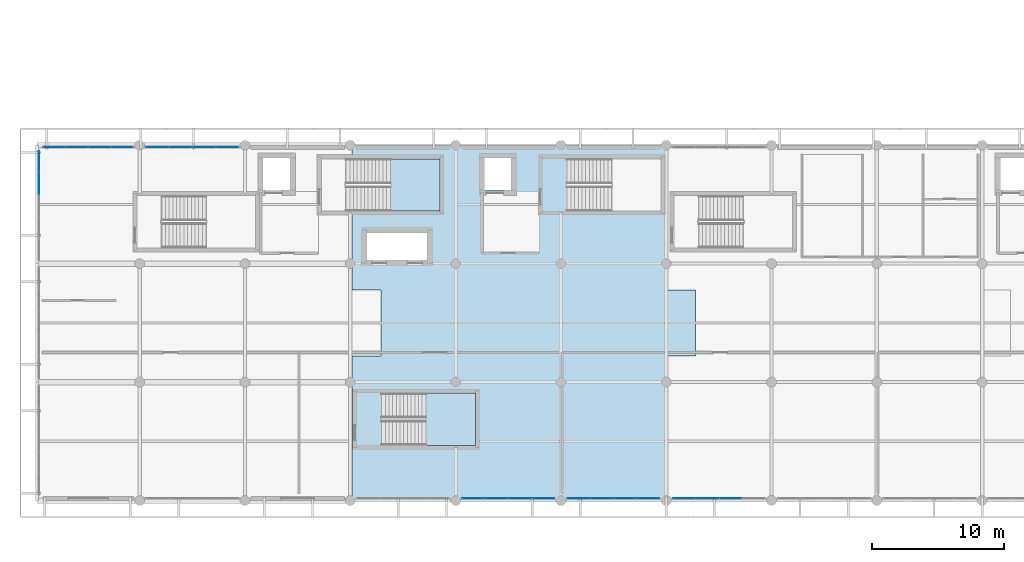
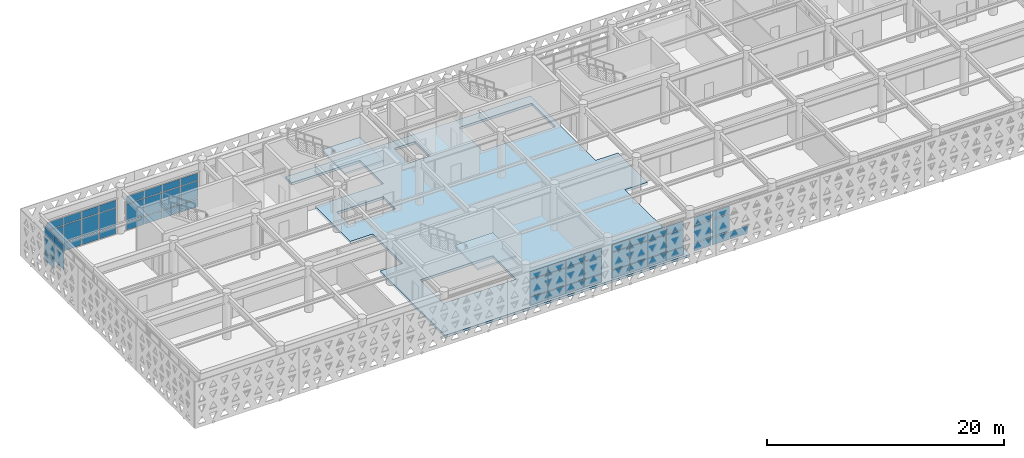
# One storey, part 17 of 33: 60 plates, 3 slabs, 8 elements without a shape of their own.
"""IFC4 building model written with IfcOpenShell, lengths in metres."""

from ifc_helpers import new_model, si_unit, direction, frame, origin, origin_2d, place, context, subcontext, project, spatial, polyline, rectangle, outline, extrude, material, layer, layer_set, type_object, element, aggregate, save


model = new_model("IFC4")

# Units and contexts
model_context = context("Model", 3, precision=1e-05, world=origin(), true_north=direction((0.0, 1.0)))
body_context = subcontext(model_context, "Body", "Model", "MODEL_VIEW")
ifc_project = project(units=[si_unit("LENGTHUNIT", "METRE"), si_unit("AREAUNIT", "SQUARE_METRE"), si_unit("VOLUMEUNIT", "CUBIC_METRE"), si_unit("PLANEANGLEUNIT", "RADIAN"), si_unit("MASSUNIT", "GRAM", prefix="KILO")], contexts=[model_context])

# Site, building, storey
site_placement = place(None, origin())
site = spatial("IfcSite", under=ifc_project, at=site_placement, CompositionType="ELEMENT")
building_placement = place(site_placement, origin())
building = spatial("IfcBuilding", under=site, at=building_placement, Name="Tlacozan Convention Centre", CompositionType="ELEMENT")
storey_placement = place(building_placement, frame((0.0, 0.0, 16.199951171875)))
storey = spatial("IfcBuildingStorey", under=building, at=storey_placement, Name="L03", CompositionType="ELEMENT", Elevation=16.199951171875)

# Curtain wall, plates
ifc_material_1 = material(Name="Dark Bronze Anodised Aluminium", Category="aluminium")
ifc_layer_1 = layer(ifc_material_1, 0.159912109375)
ifc_layer_set_1 = layer_set([ifc_layer_1], Name="Dark Bronze Anodised Aluminium")
curtain_wall_type_1 = type_object("IfcCurtainWallType", Name="Unitised Congress L03 South CW04", PredefinedType="NOTDEFINED", material=ifc_layer_set_1)
curtain_wall_1_placement = place(storey_placement, origin())
curtain_wall_1 = element("IfcCurtainWall", 1, at=curtain_wall_1_placement, inside=storey, type_object=curtain_wall_type_1, Name="L03 CW-04 Run 115", PredefinedType="NOTDEFINED")
ifc_material_2 = material(Name="Solar Control Double Low-E Argon Glazing", Category="glass")
ifc_layer_2 = layer(ifc_material_2, 0.030029296875)
ifc_layer_set_2 = layer_set([ifc_layer_2], Name="Solar Control Double Low-E Argon Glazing")
plate_type_1 = type_object("IfcPlateType", Name="Double Low-E Acoustic CW Panel 30", PredefinedType="CURTAIN_PANEL", material=ifc_layer_set_2)
plate_1_placement = place(storey_placement, frame((1.52880859375, 26.840087890625, 0.06494140625), z_axis=(0.0, 0.0, 1.0), x_axis=(1.0, 0.0, 0.0)))
plate_1 = element("IfcPlate", 2, at=plate_1_placement, type_object=plate_type_1, Name="CW-04 panel 1.1", PredefinedType="CURTAIN_PANEL", context=body_context, shape_type="SweptSolid", body=[
    extrude(rectangle(XDim=1.62744140625, YDim=0.030029296875, at=origin_2d()), origin(), (0.0, 0.0, 1.0), 0.802490234375),
])
plate_2_placement = place(storey_placement, frame((1.52880859375, 26.840087890625, 0.9326171875), z_axis=(0.0, 0.0, 1.0), x_axis=(1.0, 0.0, 0.0)))
plate_2 = element("IfcPlate", 3, at=plate_2_placement, type_object=plate_type_1, Name="CW-04 panel 1.2", PredefinedType="CURTAIN_PANEL", context=body_context, shape_type="SweptSolid", body=[
    extrude(rectangle(XDim=1.62744140625, YDim=0.030029296875, at=origin_2d()), origin(), (0.0, 0.0, 1.0), 1.784912109375),
])
plate_3_placement = place(storey_placement, frame((1.52880859375, 26.840087890625, 2.782470703125), z_axis=(0.0, 0.0, 1.0), x_axis=(1.0, 0.0, 0.0)))
plate_3 = element("IfcPlate", 4, at=plate_3_placement, type_object=plate_type_1, Name="CW-04 panel 1.3", PredefinedType="CURTAIN_PANEL", context=body_context, shape_type="SweptSolid", body=[
    extrude(rectangle(XDim=1.62744140625, YDim=0.030029296875, at=origin_2d()), origin(), (0.0, 0.0, 1.0), 0.75244140625),
])
plate_4_placement = place(storey_placement, frame((3.237548828125, 26.840087890625, 0.06494140625), z_axis=(0.0, 0.0, 1.0), x_axis=(1.0, 0.0, 0.0)))
plate_4 = element("IfcPlate", 5, at=plate_4_placement, type_object=plate_type_1, Name="CW-04 panel 2.1", PredefinedType="CURTAIN_PANEL", context=body_context, shape_type="SweptSolid", body=[
    extrude(rectangle(XDim=1.659912109375, YDim=0.030029296875, at=origin_2d()), origin(), (0.0, 0.0, 1.0), 0.802490234375),
])
plate_5_placement = place(storey_placement, frame((3.237548828125, 26.840087890625, 0.9326171875), z_axis=(0.0, 0.0, 1.0), x_axis=(1.0, 0.0, 0.0)))
plate_5 = element("IfcPlate", 6, at=plate_5_placement, type_object=plate_type_1, Name="CW-04 panel 2.2", PredefinedType="CURTAIN_PANEL", context=body_context, shape_type="SweptSolid", body=[
    extrude(rectangle(XDim=1.659912109375, YDim=0.030029296875, at=origin_2d()), origin(), (0.0, 0.0, 1.0), 1.784912109375),
])
plate_6_placement = place(storey_placement, frame((3.237548828125, 26.840087890625, 2.782470703125), z_axis=(0.0, 0.0, 1.0), x_axis=(1.0, 0.0, 0.0)))
plate_6 = element("IfcPlate", 7, at=plate_6_placement, type_object=plate_type_1, Name="CW-04 panel 2.3", PredefinedType="CURTAIN_PANEL", context=body_context, shape_type="SweptSolid", body=[
    extrude(rectangle(XDim=1.659912109375, YDim=0.030029296875, at=origin_2d()), origin(), (0.0, 0.0, 1.0), 0.75244140625),
])
plate_7_placement = place(storey_placement, frame((4.96240234375, 26.840087890625, 0.06494140625), z_axis=(0.0, 0.0, 1.0), x_axis=(1.0, 0.0, 0.0)))
plate_7 = element("IfcPlate", 8, at=plate_7_placement, type_object=plate_type_1, Name="CW-04 panel 3.1", PredefinedType="CURTAIN_PANEL", context=body_context, shape_type="SweptSolid", body=[
    extrude(rectangle(XDim=1.659912109375, YDim=0.030029296875, at=origin_2d()), origin(), (0.0, 0.0, 1.0), 0.802490234375),
])
plate_8_placement = place(storey_placement, frame((4.96240234375, 26.840087890625, 0.9326171875), z_axis=(0.0, 0.0, 1.0), x_axis=(1.0, 0.0, 0.0)))
plate_8 = element("IfcPlate", 9, at=plate_8_placement, type_object=plate_type_1, Name="CW-04 panel 3.2", PredefinedType="CURTAIN_PANEL", context=body_context, shape_type="SweptSolid", body=[
    extrude(rectangle(XDim=1.659912109375, YDim=0.030029296875, at=origin_2d()), origin(), (0.0, 0.0, 1.0), 1.784912109375),
])
plate_9_placement = place(storey_placement, frame((4.96240234375, 26.840087890625, 2.782470703125), z_axis=(0.0, 0.0, 1.0), x_axis=(1.0, 0.0, 0.0)))
plate_9 = element("IfcPlate", 10, at=plate_9_placement, type_object=plate_type_1, Name="CW-04 panel 3.3", PredefinedType="CURTAIN_PANEL", context=body_context, shape_type="SweptSolid", body=[
    extrude(rectangle(XDim=1.659912109375, YDim=0.030029296875, at=origin_2d()), origin(), (0.0, 0.0, 1.0), 0.75244140625),
])
plate_10_placement = place(storey_placement, frame((6.671142578125, 26.840087890625, 0.06494140625), z_axis=(0.0, 0.0, 1.0), x_axis=(1.0, 0.0, 0.0)))
plate_10 = element("IfcPlate", 11, at=plate_10_placement, type_object=plate_type_1, Name="CW-04 panel 4.1", PredefinedType="CURTAIN_PANEL", context=body_context, shape_type="SweptSolid", body=[
    extrude(rectangle(XDim=1.62744140625, YDim=0.030029296875, at=origin_2d()), origin(), (0.0, 0.0, 1.0), 0.802490234375),
])
plate_11_placement = place(storey_placement, frame((6.671142578125, 26.840087890625, 0.9326171875), z_axis=(0.0, 0.0, 1.0), x_axis=(1.0, 0.0, 0.0)))
plate_11 = element("IfcPlate", 12, at=plate_11_placement, type_object=plate_type_1, Name="CW-04 panel 4.2", PredefinedType="CURTAIN_PANEL", context=body_context, shape_type="SweptSolid", body=[
    extrude(rectangle(XDim=1.62744140625, YDim=0.030029296875, at=origin_2d()), origin(), (0.0, 0.0, 1.0), 1.784912109375),
])
plate_12_placement = place(storey_placement, frame((6.671142578125, 26.840087890625, 2.782470703125), z_axis=(0.0, 0.0, 1.0), x_axis=(1.0, 0.0, 0.0)))
plate_12 = element("IfcPlate", 13, at=plate_12_placement, type_object=plate_type_1, Name="CW-04 panel 4.3", PredefinedType="CURTAIN_PANEL", context=body_context, shape_type="SweptSolid", body=[
    extrude(rectangle(XDim=1.62744140625, YDim=0.030029296875, at=origin_2d()), origin(), (0.0, 0.0, 1.0), 0.75244140625),
])
aggregate(curtain_wall_1, [plate_1, plate_2, plate_3, plate_4, plate_5, plate_6, plate_7, plate_8, plate_9, plate_10, plate_11, plate_12])

curtain_wall_2_placement = place(storey_placement, origin())
curtain_wall_2 = element("IfcCurtainWall", 14, at=curtain_wall_2_placement, inside=storey, type_object=curtain_wall_type_1, Name="L03 CW-04 Run 116", PredefinedType="NOTDEFINED")
plate_13_placement = place(storey_placement, frame((9.353759765625, 26.840087890625, 0.06494140625), z_axis=(0.0, 0.0, 1.0), x_axis=(1.0, 0.0, 0.0)))
plate_13 = element("IfcPlate", 15, at=plate_13_placement, type_object=plate_type_1, Name="CW-04 panel 1.1", PredefinedType="CURTAIN_PANEL", context=body_context, shape_type="SweptSolid", body=[
    extrude(rectangle(XDim=1.677490234375, YDim=0.030029296875, at=origin_2d()), origin(), (0.0, 0.0, 1.0), 0.802490234375),
])
plate_14_placement = place(storey_placement, frame((9.353759765625, 26.840087890625, 0.9326171875), z_axis=(0.0, 0.0, 1.0), x_axis=(1.0, 0.0, 0.0)))
plate_14 = element("IfcPlate", 16, at=plate_14_placement, type_object=plate_type_1, Name="CW-04 panel 1.2", PredefinedType="CURTAIN_PANEL", context=body_context, shape_type="SweptSolid", body=[
    extrude(rectangle(XDim=1.677490234375, YDim=0.030029296875, at=origin_2d()), origin(), (0.0, 0.0, 1.0), 1.784912109375),
])
plate_15_placement = place(storey_placement, frame((9.353759765625, 26.840087890625, 2.782470703125), z_axis=(0.0, 0.0, 1.0), x_axis=(1.0, 0.0, 0.0)))
plate_15 = element("IfcPlate", 17, at=plate_15_placement, type_object=plate_type_1, Name="CW-04 panel 1.3", PredefinedType="CURTAIN_PANEL", context=body_context, shape_type="SweptSolid", body=[
    extrude(rectangle(XDim=1.677490234375, YDim=0.030029296875, at=origin_2d()), origin(), (0.0, 0.0, 1.0), 0.75244140625),
])
plate_16_placement = place(storey_placement, frame((11.112548828125, 26.840087890625, 0.06494140625), z_axis=(0.0, 0.0, 1.0), x_axis=(1.0, 0.0, 0.0)))
plate_16 = element("IfcPlate", 18, at=plate_16_placement, type_object=plate_type_1, Name="CW-04 panel 2.1", PredefinedType="CURTAIN_PANEL", context=body_context, shape_type="SweptSolid", body=[
    extrude(rectangle(XDim=1.7099609375, YDim=0.030029296875, at=origin_2d()), origin(), (0.0, 0.0, 1.0), 0.802490234375),
])
plate_17_placement = place(storey_placement, frame((11.112548828125, 26.840087890625, 0.9326171875), z_axis=(0.0, 0.0, 1.0), x_axis=(1.0, 0.0, 0.0)))
plate_17 = element("IfcPlate", 19, at=plate_17_placement, type_object=plate_type_1, Name="CW-04 panel 2.2", PredefinedType="CURTAIN_PANEL", context=body_context, shape_type="SweptSolid", body=[
    extrude(rectangle(XDim=1.7099609375, YDim=0.030029296875, at=origin_2d()), origin(), (0.0, 0.0, 1.0), 1.784912109375),
])
plate_18_placement = place(storey_placement, frame((11.112548828125, 26.840087890625, 2.782470703125), z_axis=(0.0, 0.0, 1.0), x_axis=(1.0, 0.0, 0.0)))
plate_18 = element("IfcPlate", 20, at=plate_18_placement, type_object=plate_type_1, Name="CW-04 panel 2.3", PredefinedType="CURTAIN_PANEL", context=body_context, shape_type="SweptSolid", body=[
    extrude(rectangle(XDim=1.7099609375, YDim=0.030029296875, at=origin_2d()), origin(), (0.0, 0.0, 1.0), 0.75244140625),
])
plate_19_placement = place(storey_placement, frame((12.887451171875, 26.840087890625, 0.06494140625), z_axis=(0.0, 0.0, 1.0), x_axis=(1.0, 0.0, 0.0)))
plate_19 = element("IfcPlate", 21, at=plate_19_placement, type_object=plate_type_1, Name="CW-04 panel 3.1", PredefinedType="CURTAIN_PANEL", context=body_context, shape_type="SweptSolid", body=[
    extrude(rectangle(XDim=1.7099609375, YDim=0.030029296875, at=origin_2d()), origin(), (0.0, 0.0, 1.0), 0.802490234375),
])
plate_20_placement = place(storey_placement, frame((12.887451171875, 26.840087890625, 0.9326171875), z_axis=(0.0, 0.0, 1.0), x_axis=(1.0, 0.0, 0.0)))
plate_20 = element("IfcPlate", 22, at=plate_20_placement, type_object=plate_type_1, Name="CW-04 panel 3.2", PredefinedType="CURTAIN_PANEL", context=body_context, shape_type="SweptSolid", body=[
    extrude(rectangle(XDim=1.7099609375, YDim=0.030029296875, at=origin_2d()), origin(), (0.0, 0.0, 1.0), 1.784912109375),
])
plate_21_placement = place(storey_placement, frame((12.887451171875, 26.840087890625, 2.782470703125), z_axis=(0.0, 0.0, 1.0), x_axis=(1.0, 0.0, 0.0)))
plate_21 = element("IfcPlate", 23, at=plate_21_placement, type_object=plate_type_1, Name="CW-04 panel 3.3", PredefinedType="CURTAIN_PANEL", context=body_context, shape_type="SweptSolid", body=[
    extrude(rectangle(XDim=1.7099609375, YDim=0.030029296875, at=origin_2d()), origin(), (0.0, 0.0, 1.0), 0.75244140625),
])
plate_22_placement = place(storey_placement, frame((14.646240234375, 26.840087890625, 0.06494140625), z_axis=(0.0, 0.0, 1.0), x_axis=(1.0, 0.0, 0.0)))
plate_22 = element("IfcPlate", 24, at=plate_22_placement, type_object=plate_type_1, Name="CW-04 panel 4.1", PredefinedType="CURTAIN_PANEL", context=body_context, shape_type="SweptSolid", body=[
    extrude(rectangle(XDim=1.677490234375, YDim=0.030029296875, at=origin_2d()), origin(), (0.0, 0.0, 1.0), 0.802490234375),
])
plate_23_placement = place(storey_placement, frame((14.646240234375, 26.840087890625, 0.9326171875), z_axis=(0.0, 0.0, 1.0), x_axis=(1.0, 0.0, 0.0)))
plate_23 = element("IfcPlate", 25, at=plate_23_placement, type_object=plate_type_1, Name="CW-04 panel 4.2", PredefinedType="CURTAIN_PANEL", context=body_context, shape_type="SweptSolid", body=[
    extrude(rectangle(XDim=1.677490234375, YDim=0.030029296875, at=origin_2d()), origin(), (0.0, 0.0, 1.0), 1.784912109375),
])
plate_24_placement = place(storey_placement, frame((14.646240234375, 26.840087890625, 2.782470703125), z_axis=(0.0, 0.0, 1.0), x_axis=(1.0, 0.0, 0.0)))
plate_24 = element("IfcPlate", 26, at=plate_24_placement, type_object=plate_type_1, Name="CW-04 panel 4.3", PredefinedType="CURTAIN_PANEL", context=body_context, shape_type="SweptSolid", body=[
    extrude(rectangle(XDim=1.677490234375, YDim=0.030029296875, at=origin_2d()), origin(), (0.0, 0.0, 1.0), 0.75244140625),
])
aggregate(curtain_wall_2, [plate_13, plate_14, plate_15, plate_16, plate_17, plate_18, plate_19, plate_20, plate_21, plate_22, plate_23, plate_24])

curtain_wall_3_placement = place(storey_placement, origin())
curtain_wall_3 = element("IfcCurtainWall", 27, at=curtain_wall_3_placement, inside=storey, type_object=curtain_wall_type_1, Name="L03 CW-04 Run 104", PredefinedType="NOTDEFINED")
ifc_layer_3 = layer(ifc_material_2, 0.02001953125)
ifc_layer_set_3 = layer_set([ifc_layer_3], Name="Solar Control Double Low-E Argon Glazing")
plate_type_2 = type_object("IfcPlateType", Name="Double Low-E Glazed CW Panel 20", PredefinedType="CURTAIN_PANEL", material=ifc_layer_set_3)
plate_25_placement = place(storey_placement, frame((33.353759765625, 0.159912109375, 0.06494140625), z_axis=(0.0, 0.0, 1.0), x_axis=(1.0, 0.0, 0.0)))
plate_25 = element("IfcPlate", 28, at=plate_25_placement, type_object=plate_type_2, Name="CW-04 panel 1.1", PredefinedType="CURTAIN_PANEL", context=body_context, shape_type="SweptSolid", body=[
    extrude(rectangle(XDim=1.677490234375, YDim=0.02001953125, at=origin_2d()), origin(), (0.0, 0.0, 1.0), 0.802490234375),
])
plate_26_placement = place(storey_placement, frame((33.353759765625, 0.159912109375, 0.9326171875), z_axis=(0.0, 0.0, 1.0), x_axis=(1.0, 0.0, 0.0)))
plate_26 = element("IfcPlate", 29, at=plate_26_placement, type_object=plate_type_2, Name="CW-04 panel 1.2", PredefinedType="CURTAIN_PANEL", context=body_context, shape_type="SweptSolid", body=[
    extrude(rectangle(XDim=1.677490234375, YDim=0.02001953125, at=origin_2d()), origin(), (0.0, 0.0, 1.0), 1.784912109375),
])
plate_27_placement = place(storey_placement, frame((33.353759765625, 0.159912109375, 2.782470703125), z_axis=(0.0, 0.0, 1.0), x_axis=(1.0, 0.0, 0.0)))
plate_27 = element("IfcPlate", 30, at=plate_27_placement, type_object=plate_type_2, Name="CW-04 panel 1.3", PredefinedType="CURTAIN_PANEL", context=body_context, shape_type="SweptSolid", body=[
    extrude(rectangle(XDim=1.677490234375, YDim=0.02001953125, at=origin_2d()), origin(), (0.0, 0.0, 1.0), 0.75244140625),
])
plate_28_placement = place(storey_placement, frame((35.112548828125, 0.159912109375, 0.06494140625), z_axis=(0.0, 0.0, 1.0), x_axis=(1.0, 0.0, 0.0)))
plate_28 = element("IfcPlate", 31, at=plate_28_placement, type_object=plate_type_2, Name="CW-04 panel 2.1", PredefinedType="CURTAIN_PANEL", context=body_context, shape_type="SweptSolid", body=[
    extrude(rectangle(XDim=1.7099609375, YDim=0.02001953125, at=origin_2d()), origin(), (0.0, 0.0, 1.0), 0.802490234375),
])
plate_29_placement = place(storey_placement, frame((35.112548828125, 0.159912109375, 0.9326171875), z_axis=(0.0, 0.0, 1.0), x_axis=(1.0, 0.0, 0.0)))
plate_29 = element("IfcPlate", 32, at=plate_29_placement, type_object=plate_type_2, Name="CW-04 panel 2.2", PredefinedType="CURTAIN_PANEL", context=body_context, shape_type="SweptSolid", body=[
    extrude(rectangle(XDim=1.7099609375, YDim=0.02001953125, at=origin_2d()), origin(), (0.0, 0.0, 1.0), 1.784912109375),
])
plate_30_placement = place(storey_placement, frame((35.112548828125, 0.159912109375, 2.782470703125), z_axis=(0.0, 0.0, 1.0), x_axis=(1.0, 0.0, 0.0)))
plate_30 = element("IfcPlate", 33, at=plate_30_placement, type_object=plate_type_2, Name="CW-04 panel 2.3", PredefinedType="CURTAIN_PANEL", context=body_context, shape_type="SweptSolid", body=[
    extrude(rectangle(XDim=1.7099609375, YDim=0.02001953125, at=origin_2d()), origin(), (0.0, 0.0, 1.0), 0.75244140625),
])
plate_31_placement = place(storey_placement, frame((36.887451171875, 0.159912109375, 0.06494140625), z_axis=(0.0, 0.0, 1.0), x_axis=(1.0, 0.0, 0.0)))
plate_31 = element("IfcPlate", 34, at=plate_31_placement, type_object=plate_type_2, Name="CW-04 panel 3.1", PredefinedType="CURTAIN_PANEL", context=body_context, shape_type="SweptSolid", body=[
    extrude(rectangle(XDim=1.7099609375, YDim=0.02001953125, at=origin_2d()), origin(), (0.0, 0.0, 1.0), 0.802490234375),
])
plate_32_placement = place(storey_placement, frame((36.887451171875, 0.159912109375, 0.9326171875), z_axis=(0.0, 0.0, 1.0), x_axis=(1.0, 0.0, 0.0)))
plate_32 = element("IfcPlate", 35, at=plate_32_placement, type_object=plate_type_2, Name="CW-04 panel 3.2", PredefinedType="CURTAIN_PANEL", context=body_context, shape_type="SweptSolid", body=[
    extrude(rectangle(XDim=1.7099609375, YDim=0.02001953125, at=origin_2d()), origin(), (0.0, 0.0, 1.0), 1.784912109375),
])
plate_33_placement = place(storey_placement, frame((36.887451171875, 0.159912109375, 2.782470703125), z_axis=(0.0, 0.0, 1.0), x_axis=(1.0, 0.0, 0.0)))
plate_33 = element("IfcPlate", 36, at=plate_33_placement, type_object=plate_type_2, Name="CW-04 panel 3.3", PredefinedType="CURTAIN_PANEL", context=body_context, shape_type="SweptSolid", body=[
    extrude(rectangle(XDim=1.7099609375, YDim=0.02001953125, at=origin_2d()), origin(), (0.0, 0.0, 1.0), 0.75244140625),
])
plate_34_placement = place(storey_placement, frame((38.646240234375, 0.159912109375, 0.06494140625), z_axis=(0.0, 0.0, 1.0), x_axis=(1.0, 0.0, 0.0)))
plate_34 = element("IfcPlate", 37, at=plate_34_placement, type_object=plate_type_2, Name="CW-04 panel 4.1", PredefinedType="CURTAIN_PANEL", context=body_context, shape_type="SweptSolid", body=[
    extrude(rectangle(XDim=1.677490234375, YDim=0.02001953125, at=origin_2d()), origin(), (0.0, 0.0, 1.0), 0.802490234375),
])
plate_35_placement = place(storey_placement, frame((38.646240234375, 0.159912109375, 0.9326171875), z_axis=(0.0, 0.0, 1.0), x_axis=(1.0, 0.0, 0.0)))
plate_35 = element("IfcPlate", 38, at=plate_35_placement, type_object=plate_type_2, Name="CW-04 panel 4.2", PredefinedType="CURTAIN_PANEL", context=body_context, shape_type="SweptSolid", body=[
    extrude(rectangle(XDim=1.677490234375, YDim=0.02001953125, at=origin_2d()), origin(), (0.0, 0.0, 1.0), 1.784912109375),
])
plate_36_placement = place(storey_placement, frame((38.646240234375, 0.159912109375, 2.782470703125), z_axis=(0.0, 0.0, 1.0), x_axis=(1.0, 0.0, 0.0)))
plate_36 = element("IfcPlate", 39, at=plate_36_placement, type_object=plate_type_2, Name="CW-04 panel 4.3", PredefinedType="CURTAIN_PANEL", context=body_context, shape_type="SweptSolid", body=[
    extrude(rectangle(XDim=1.677490234375, YDim=0.02001953125, at=origin_2d()), origin(), (0.0, 0.0, 1.0), 0.75244140625),
])
aggregate(curtain_wall_3, [plate_25, plate_26, plate_27, plate_28, plate_29, plate_30, plate_31, plate_32, plate_33, plate_34, plate_35, plate_36])

curtain_wall_4_placement = place(storey_placement, origin())
curtain_wall_4 = element("IfcCurtainWall", 40, at=curtain_wall_4_placement, inside=storey, type_object=curtain_wall_type_1, Name="L03 CW-04 Run 106", PredefinedType="NOTDEFINED")
plate_37_placement = place(storey_placement, frame((49.353759765625, 0.159912109375, 0.06494140625), z_axis=(0.0, 0.0, 1.0), x_axis=(1.0, 0.0, 0.0)))
plate_37 = element("IfcPlate", 41, at=plate_37_placement, type_object=plate_type_2, Name="CW-04 panel 1.1", PredefinedType="CURTAIN_PANEL", context=body_context, shape_type="SweptSolid", body=[
    extrude(rectangle(XDim=1.677490234375, YDim=0.02001953125, at=origin_2d()), origin(), (0.0, 0.0, 1.0), 0.802490234375),
])
plate_38_placement = place(storey_placement, frame((49.353759765625, 0.159912109375, 0.9326171875), z_axis=(0.0, 0.0, 1.0), x_axis=(1.0, 0.0, 0.0)))
plate_38 = element("IfcPlate", 42, at=plate_38_placement, type_object=plate_type_2, Name="CW-04 panel 1.2", PredefinedType="CURTAIN_PANEL", context=body_context, shape_type="SweptSolid", body=[
    extrude(rectangle(XDim=1.677490234375, YDim=0.02001953125, at=origin_2d()), origin(), (0.0, 0.0, 1.0), 1.784912109375),
])
plate_39_placement = place(storey_placement, frame((49.353759765625, 0.159912109375, 2.782470703125), z_axis=(0.0, 0.0, 1.0), x_axis=(1.0, 0.0, 0.0)))
plate_39 = element("IfcPlate", 43, at=plate_39_placement, type_object=plate_type_2, Name="CW-04 panel 1.3", PredefinedType="CURTAIN_PANEL", context=body_context, shape_type="SweptSolid", body=[
    extrude(rectangle(XDim=1.677490234375, YDim=0.02001953125, at=origin_2d()), origin(), (0.0, 0.0, 1.0), 0.75244140625),
])
plate_40_placement = place(storey_placement, frame((51.112548828125, 0.159912109375, 0.06494140625), z_axis=(0.0, 0.0, 1.0), x_axis=(1.0, 0.0, 0.0)))
plate_40 = element("IfcPlate", 44, at=plate_40_placement, type_object=plate_type_2, Name="CW-04 panel 2.1", PredefinedType="CURTAIN_PANEL", context=body_context, shape_type="SweptSolid", body=[
    extrude(rectangle(XDim=1.7099609375, YDim=0.02001953125, at=origin_2d()), origin(), (0.0, 0.0, 1.0), 0.802490234375),
])
plate_41_placement = place(storey_placement, frame((51.112548828125, 0.159912109375, 0.9326171875), z_axis=(0.0, 0.0, 1.0), x_axis=(1.0, 0.0, 0.0)))
plate_41 = element("IfcPlate", 45, at=plate_41_placement, type_object=plate_type_2, Name="CW-04 panel 2.2", PredefinedType="CURTAIN_PANEL", context=body_context, shape_type="SweptSolid", body=[
    extrude(rectangle(XDim=1.7099609375, YDim=0.02001953125, at=origin_2d()), origin(), (0.0, 0.0, 1.0), 1.784912109375),
])
plate_42_placement = place(storey_placement, frame((51.112548828125, 0.159912109375, 2.782470703125), z_axis=(0.0, 0.0, 1.0), x_axis=(1.0, 0.0, 0.0)))
plate_42 = element("IfcPlate", 46, at=plate_42_placement, type_object=plate_type_2, Name="CW-04 panel 2.3", PredefinedType="CURTAIN_PANEL", context=body_context, shape_type="SweptSolid", body=[
    extrude(rectangle(XDim=1.7099609375, YDim=0.02001953125, at=origin_2d()), origin(), (0.0, 0.0, 1.0), 0.75244140625),
])
plate_43_placement = place(storey_placement, frame((52.887451171875, 0.159912109375, 0.06494140625), z_axis=(0.0, 0.0, 1.0), x_axis=(1.0, 0.0, 0.0)))
plate_43 = element("IfcPlate", 47, at=plate_43_placement, type_object=plate_type_2, Name="CW-04 panel 3.1", PredefinedType="CURTAIN_PANEL", context=body_context, shape_type="SweptSolid", body=[
    extrude(rectangle(XDim=1.7099609375, YDim=0.02001953125, at=origin_2d()), origin(), (0.0, 0.0, 1.0), 0.802490234375),
])
aggregate(curtain_wall_4, [plate_37, plate_38, plate_39, plate_40, plate_41, plate_42, plate_43])

ifc_layer_4 = layer(ifc_material_1, 0.159912109375)
ifc_layer_set_4 = layer_set([ifc_layer_4], Name="Dark Bronze Anodised Aluminium")
curtain_wall_type_2 = type_object("IfcCurtainWallType", Name="Unitised Congress Gable End CW06", PredefinedType="NOTDEFINED", material=ifc_layer_set_4)
curtain_wall_5_placement = place(storey_placement, origin())
curtain_wall_5 = element("IfcCurtainWall", 48, at=curtain_wall_5_placement, inside=storey, type_object=curtain_wall_type_2, Name="L03 CW-06 Run 122", PredefinedType="NOTDEFINED")
plate_44_placement = place(storey_placement, frame((0.360107421875, 24.087890625, 0.929931640625), z_axis=(0.0, 0.0, 1.0), x_axis=(0.0, 1.0, 0.0)))
plate_44 = element("IfcPlate", 49, at=plate_44_placement, type_object=plate_type_2, Name="CW-06 panel 4.2", PredefinedType="CURTAIN_PANEL", context=body_context, shape_type="SweptSolid", body=[
    extrude(rectangle(XDim=1.60791015625, YDim=0.02001953125, at=origin_2d()), origin(), (0.0, 0.0, 1.0), 1.7900390625),
])
plate_45_placement = place(storey_placement, frame((0.360107421875, 24.087890625, 2.7802734375), z_axis=(0.0, 0.0, 1.0), x_axis=(0.0, 1.0, 0.0)))
plate_45 = element("IfcPlate", 50, at=plate_45_placement, type_object=plate_type_2, Name="CW-06 panel 4.3", PredefinedType="CURTAIN_PANEL", context=body_context, shape_type="SweptSolid", body=[
    extrude(rectangle(XDim=1.60791015625, YDim=0.02001953125, at=origin_2d()), origin(), (0.0, 0.0, 1.0), 0.760009765625),
])
plate_46_placement = place(storey_placement, frame((0.360107421875, 25.740966796875, 0.06005859375), z_axis=(0.0, 0.0, 1.0), x_axis=(0.0, 1.0, 0.0)))
plate_46 = element("IfcPlate", 51, at=plate_46_placement, type_object=plate_type_2, Name="CW-06 panel 5.1", PredefinedType="CURTAIN_PANEL", context=body_context, shape_type="SweptSolid", body=[
    extrude(rectangle(XDim=1.577880859375, YDim=0.02001953125, at=origin_2d()), origin(), (0.0, 0.0, 1.0), 0.81005859375),
])
plate_47_placement = place(storey_placement, frame((0.360107421875, 25.740966796875, 0.929931640625), z_axis=(0.0, 0.0, 1.0), x_axis=(0.0, 1.0, 0.0)))
plate_47 = element("IfcPlate", 52, at=plate_47_placement, type_object=plate_type_2, Name="CW-06 panel 5.2", PredefinedType="CURTAIN_PANEL", context=body_context, shape_type="SweptSolid", body=[
    extrude(rectangle(XDim=1.577880859375, YDim=0.02001953125, at=origin_2d()), origin(), (0.0, 0.0, 1.0), 1.7900390625),
])
plate_48_placement = place(storey_placement, frame((0.360107421875, 25.740966796875, 2.7802734375), z_axis=(0.0, 0.0, 1.0), x_axis=(0.0, 1.0, 0.0)))
plate_48 = element("IfcPlate", 53, at=plate_48_placement, type_object=plate_type_2, Name="CW-06 panel 5.3", PredefinedType="CURTAIN_PANEL", context=body_context, shape_type="SweptSolid", body=[
    extrude(rectangle(XDim=1.577880859375, YDim=0.02001953125, at=origin_2d()), origin(), (0.0, 0.0, 1.0), 0.760009765625),
])
aggregate(curtain_wall_5, [plate_44, plate_45, plate_46, plate_47, plate_48])

# Slab
ifc_material_3 = material(Name="Concrete C40/50", Category="concrete")
ifc_layer_5 = layer(ifc_material_3, 0.25)
ifc_layer_set_5 = layer_set([ifc_layer_5], Name="Concrete C40/50")
slab_type_1 = type_object("IfcSlabType", Name="Executive Congress Floor Slab 250", PredefinedType="FLOOR", material=ifc_layer_set_5)
slab_1_placement = place(storey_placement, frame((0.0, 0.0, -0.25)))
element("IfcSlab", 54, at=slab_1_placement, inside=storey, type_object=slab_type_1, Name="L03 Executive Congress Floor Slab 250 79", PredefinedType="FLOOR", context=body_context, shape_type="SweptSolid", body=[
    extrude(outline(polyline([(24.1201171875, 11.0), (26.320068359375, 11.0), (26.320068359375, 16.0), (24.1201171875, 16.0), (24.1201171875, 22.0), (30.800048828125, 22.0), (30.800048828125, 25.9599609375), (24.1201171875, 25.9599609375), (24.1201171875, 27.0), (48.0400390625, 27.0), (48.0400390625, 16.0), (50.239990234375, 16.0), (50.239990234375, 11.0), (48.0400390625, 11.0), (48.0400390625, 0.0), (24.1201171875, 0.0), (24.1201171875, 11.0)]), holes=[polyline([(33.5, 4.199951171875), (33.5, 8.159912109375), (26.3798828125, 8.159912109375), (26.3798828125, 4.199951171875), (33.5, 4.199951171875)]), polyline([(29.830078125, 20.330078125), (25.27001953125, 20.330078125), (25.27001953125, 18.27001953125), (29.830078125, 18.27001953125), (29.830078125, 20.330078125)]), polyline([(47.60009765625, 22.0), (47.60009765625, 25.9599609375), (40.47998046875, 25.9599609375), (40.47998046875, 22.0), (47.60009765625, 22.0)]), polyline([(36.219970703125, 26.02001953125), (34.179931640625, 26.02001953125), (34.179931640625, 23.580078125), (36.219970703125, 23.580078125), (36.219970703125, 26.02001953125)])]), origin(), (0.0, 0.0, 1.0), 0.25),
])

# Curtain wall, plates
curtain_wall_6_placement = place(storey_placement, origin())
curtain_wall_6 = element("IfcCurtainWall", 55, at=curtain_wall_6_placement, inside=storey, type_object=curtain_wall_type_1, Name="L03 CW-04 Run 105", PredefinedType="NOTDEFINED")
ifc_layer_6 = layer(ifc_material_2, 0.0400390625)
ifc_layer_set_6 = layer_set([ifc_layer_6], Name="Solar Control Double Low-E Argon Glazing")
plate_type_3 = type_object("IfcPlateType", Name="Insulated Spandrel CW Panel 40", PredefinedType="CURTAIN_PANEL", material=ifc_layer_set_6)
plate_49_placement = place(storey_placement, frame((41.353759765625, 0.159912109375, 0.06494140625), z_axis=(0.0, 0.0, 1.0), x_axis=(1.0, 0.0, 0.0)))
plate_49 = element("IfcPlate", 56, at=plate_49_placement, type_object=plate_type_3, Name="CW-04 panel 1.1", PredefinedType="CURTAIN_PANEL", context=body_context, shape_type="SweptSolid", body=[
    extrude(rectangle(XDim=1.677490234375, YDim=0.0400390625, at=origin_2d()), origin(), (0.0, 0.0, 1.0), 0.802490234375),
])
plate_50_placement = place(storey_placement, frame((41.353759765625, 0.159912109375, 0.9326171875), z_axis=(0.0, 0.0, 1.0), x_axis=(1.0, 0.0, 0.0)))
plate_50 = element("IfcPlate", 57, at=plate_50_placement, type_object=plate_type_3, Name="CW-04 panel 1.2", PredefinedType="CURTAIN_PANEL", context=body_context, shape_type="SweptSolid", body=[
    extrude(rectangle(XDim=1.677490234375, YDim=0.0400390625, at=origin_2d()), origin(), (0.0, 0.0, 1.0), 1.784912109375),
])
plate_51_placement = place(storey_placement, frame((41.353759765625, 0.159912109375, 2.782470703125), z_axis=(0.0, 0.0, 1.0), x_axis=(1.0, 0.0, 0.0)))
plate_51 = element("IfcPlate", 58, at=plate_51_placement, type_object=plate_type_3, Name="CW-04 panel 1.3", PredefinedType="CURTAIN_PANEL", context=body_context, shape_type="SweptSolid", body=[
    extrude(rectangle(XDim=1.677490234375, YDim=0.0400390625, at=origin_2d()), origin(), (0.0, 0.0, 1.0), 0.75244140625),
])
plate_52_placement = place(storey_placement, frame((43.112548828125, 0.159912109375, 0.06494140625), z_axis=(0.0, 0.0, 1.0), x_axis=(1.0, 0.0, 0.0)))
plate_52 = element("IfcPlate", 59, at=plate_52_placement, type_object=plate_type_3, Name="CW-04 panel 2.1", PredefinedType="CURTAIN_PANEL", context=body_context, shape_type="SweptSolid", body=[
    extrude(rectangle(XDim=1.7099609375, YDim=0.0400390625, at=origin_2d()), origin(), (0.0, 0.0, 1.0), 0.802490234375),
])
plate_53_placement = place(storey_placement, frame((43.112548828125, 0.159912109375, 0.9326171875), z_axis=(0.0, 0.0, 1.0), x_axis=(1.0, 0.0, 0.0)))
plate_53 = element("IfcPlate", 60, at=plate_53_placement, type_object=plate_type_3, Name="CW-04 panel 2.2", PredefinedType="CURTAIN_PANEL", context=body_context, shape_type="SweptSolid", body=[
    extrude(rectangle(XDim=1.7099609375, YDim=0.0400390625, at=origin_2d()), origin(), (0.0, 0.0, 1.0), 1.784912109375),
])
plate_54_placement = place(storey_placement, frame((43.112548828125, 0.159912109375, 2.782470703125), z_axis=(0.0, 0.0, 1.0), x_axis=(1.0, 0.0, 0.0)))
plate_54 = element("IfcPlate", 61, at=plate_54_placement, type_object=plate_type_3, Name="CW-04 panel 2.3", PredefinedType="CURTAIN_PANEL", context=body_context, shape_type="SweptSolid", body=[
    extrude(rectangle(XDim=1.7099609375, YDim=0.0400390625, at=origin_2d()), origin(), (0.0, 0.0, 1.0), 0.75244140625),
])
plate_55_placement = place(storey_placement, frame((44.887451171875, 0.159912109375, 0.06494140625), z_axis=(0.0, 0.0, 1.0), x_axis=(1.0, 0.0, 0.0)))
plate_55 = element("IfcPlate", 62, at=plate_55_placement, type_object=plate_type_3, Name="CW-04 panel 3.1", PredefinedType="CURTAIN_PANEL", context=body_context, shape_type="SweptSolid", body=[
    extrude(rectangle(XDim=1.7099609375, YDim=0.0400390625, at=origin_2d()), origin(), (0.0, 0.0, 1.0), 0.802490234375),
])
plate_56_placement = place(storey_placement, frame((44.887451171875, 0.159912109375, 0.9326171875), z_axis=(0.0, 0.0, 1.0), x_axis=(1.0, 0.0, 0.0)))
plate_56 = element("IfcPlate", 63, at=plate_56_placement, type_object=plate_type_3, Name="CW-04 panel 3.2", PredefinedType="CURTAIN_PANEL", context=body_context, shape_type="SweptSolid", body=[
    extrude(rectangle(XDim=1.7099609375, YDim=0.0400390625, at=origin_2d()), origin(), (0.0, 0.0, 1.0), 1.784912109375),
])
plate_57_placement = place(storey_placement, frame((44.887451171875, 0.159912109375, 2.782470703125), z_axis=(0.0, 0.0, 1.0), x_axis=(1.0, 0.0, 0.0)))
plate_57 = element("IfcPlate", 64, at=plate_57_placement, type_object=plate_type_3, Name="CW-04 panel 3.3", PredefinedType="CURTAIN_PANEL", context=body_context, shape_type="SweptSolid", body=[
    extrude(rectangle(XDim=1.7099609375, YDim=0.0400390625, at=origin_2d()), origin(), (0.0, 0.0, 1.0), 0.75244140625),
])
plate_58_placement = place(storey_placement, frame((46.646240234375, 0.159912109375, 0.06494140625), z_axis=(0.0, 0.0, 1.0), x_axis=(1.0, 0.0, 0.0)))
plate_58 = element("IfcPlate", 65, at=plate_58_placement, type_object=plate_type_3, Name="CW-04 panel 4.1", PredefinedType="CURTAIN_PANEL", context=body_context, shape_type="SweptSolid", body=[
    extrude(rectangle(XDim=1.677490234375, YDim=0.0400390625, at=origin_2d()), origin(), (0.0, 0.0, 1.0), 0.802490234375),
])
plate_59_placement = place(storey_placement, frame((46.646240234375, 0.159912109375, 0.9326171875), z_axis=(0.0, 0.0, 1.0), x_axis=(1.0, 0.0, 0.0)))
plate_59 = element("IfcPlate", 66, at=plate_59_placement, type_object=plate_type_3, Name="CW-04 panel 4.2", PredefinedType="CURTAIN_PANEL", context=body_context, shape_type="SweptSolid", body=[
    extrude(rectangle(XDim=1.677490234375, YDim=0.0400390625, at=origin_2d()), origin(), (0.0, 0.0, 1.0), 1.784912109375),
])
plate_60_placement = place(storey_placement, frame((46.646240234375, 0.159912109375, 2.782470703125), z_axis=(0.0, 0.0, 1.0), x_axis=(1.0, 0.0, 0.0)))
plate_60 = element("IfcPlate", 67, at=plate_60_placement, type_object=plate_type_3, Name="CW-04 panel 4.3", PredefinedType="CURTAIN_PANEL", context=body_context, shape_type="SweptSolid", body=[
    extrude(rectangle(XDim=1.677490234375, YDim=0.0400390625, at=origin_2d()), origin(), (0.0, 0.0, 1.0), 0.75244140625),
])
aggregate(curtain_wall_6, [plate_49, plate_50, plate_51, plate_52, plate_53, plate_54, plate_55, plate_56, plate_57, plate_58, plate_59, plate_60])

# Stair, slab
stair_type = type_object("IfcStairType", Name="Protected Dogleg Stair W188 H48", PredefinedType="HALF_TURN_STAIR", material=ifc_material_3)
stair_1_placement = place(storey_placement, origin())
stair_1 = element("IfcStair", 68, at=stair_1_placement, inside=storey, type_object=stair_type, Name="L03 West Congress Core Stair ST-01", PredefinedType="HALF_TURN_STAIR")
ifc_layer_7 = layer(ifc_material_3, 0.199951171875)
ifc_layer_set_7 = layer_set([ifc_layer_7], Name="Concrete C40/50")
slab_type_2 = type_object("IfcSlabType", Name="Stair Half Landing Slab 200", PredefinedType="LANDING", material=ifc_layer_set_7)
slab_2_placement = place(storey_placement, frame((0.0, 0.0, 2.199951171875)))
slab_2 = element("IfcSlab", 69, at=slab_2_placement, type_object=slab_type_2, Name="ST-01 landing 1", PredefinedType="LANDING", context=body_context, shape_type="SweptSolid", body=[
    extrude(outline(polyline([(27.0400390625, 22.0), (30.800048828125, 22.0), (30.800048828125, 25.9599609375), (27.0400390625, 25.9599609375), (27.0400390625, 22.0)])), origin(), (0.0, 0.0, 1.0), 0.2001953125),
])
aggregate(stair_1, [slab_2])

stair_2_placement = place(storey_placement, origin())
stair_2 = element("IfcStair", 70, at=stair_2_placement, inside=storey, type_object=stair_type, Name="L03 West Concourse Grand Stair", PredefinedType="HALF_TURN_STAIR")
slab_3_placement = place(storey_placement, frame((0.0, 0.0, 2.199951171875)))
slab_3 = element("IfcSlab", 71, at=slab_3_placement, type_object=slab_type_2, Name="ST-16 landing 1", PredefinedType="LANDING", context=body_context, shape_type="SweptSolid", body=[
    extrude(outline(polyline([(29.739990234375, 4.199951171875), (33.5, 4.199951171875), (33.5, 8.159912109375), (29.739990234375, 8.159912109375), (29.739990234375, 4.199951171875)])), origin(), (0.0, 0.0, 1.0), 0.2001953125),
])
aggregate(stair_2, [slab_3])

save(model, "model.ifc")
